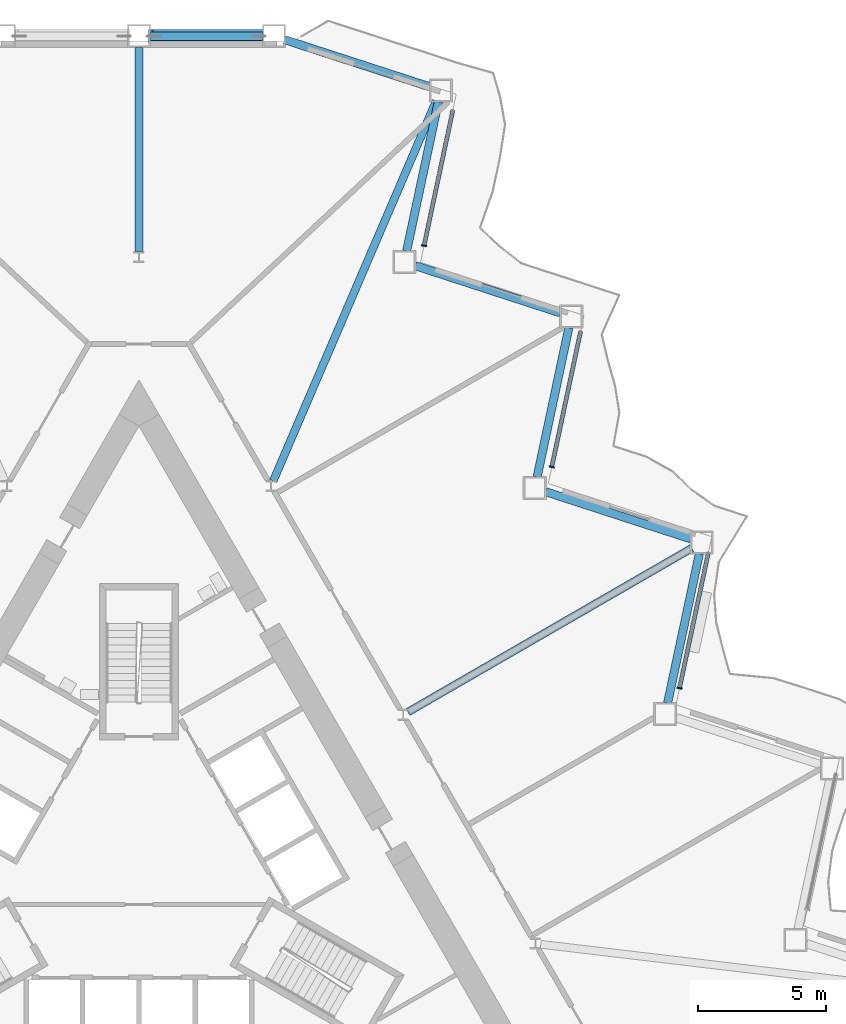
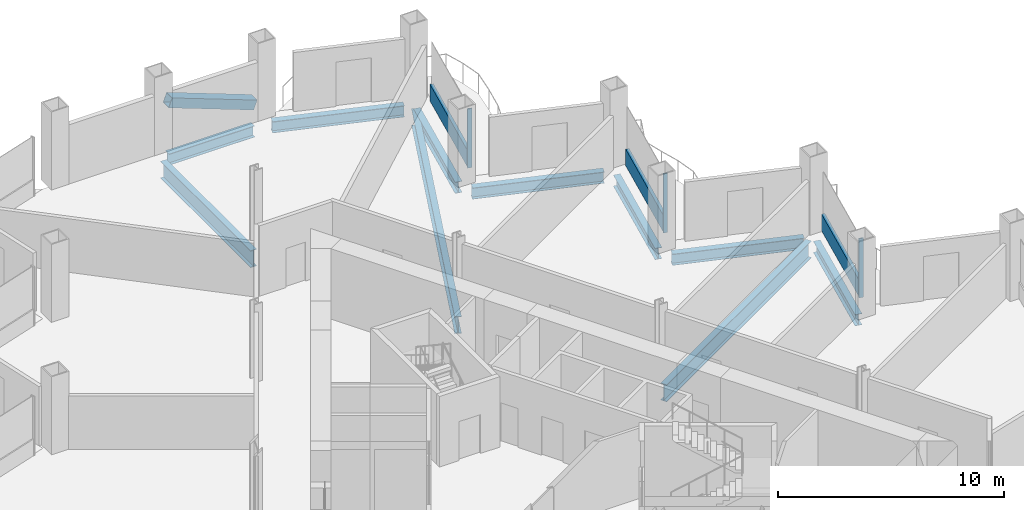
# One storey, part 8 of 21: 10 beams, 7 members, 3 elements without a shape of their own.
"""IFC4 building model written with IfcOpenShell, lengths in metres."""

from ifc_helpers import new_model, si_unit, direction, frame, origin, origin_2d, place, context, subcontext, project, spatial, rectangle, hollow_rectangle, i_section, extrude, material, layer, layer_set, material_profile, profile_set, type_object, element, aggregate, save


model = new_model("IFC4")

# Units and contexts
model_context = context("Model", 3, precision=1e-05, world=origin(), true_north=direction((0.0, 1.0)))
body_context = subcontext(model_context, "Body", "Model", "MODEL_VIEW")
ifc_project = project(units=[si_unit("LENGTHUNIT", "METRE"), si_unit("AREAUNIT", "SQUARE_METRE"), si_unit("VOLUMEUNIT", "CUBIC_METRE"), si_unit("PLANEANGLEUNIT", "RADIAN"), si_unit("MASSUNIT", "GRAM", prefix="KILO")], contexts=[model_context])

# Site, building, storey
site_placement = place(None, origin())
site = spatial("IfcSite", under=ifc_project, at=site_placement, CompositionType="ELEMENT")
building_placement = place(site_placement, origin())
building = spatial("IfcBuilding", under=site, at=building_placement, Name="Cormorant Prow Tower", CompositionType="ELEMENT")
storey_placement = place(building_placement, frame((0.0, 0.0, 103.800048828125)))
storey = spatial("IfcBuildingStorey", under=building, at=storey_placement, Name="L21", CompositionType="ELEMENT", Elevation=103.800048828125)

# Member
ifc_material_1 = material(Name="Structural steel ASTM A500 Gr C", Category="steel")
ifc_material_profile_1 = material_profile(ifc_material_1, hollow_rectangle(XDim=0.508056640625, YDim=0.508056640625, WallThickness=0.014892578125, at=origin_2d()), Name="HSS20x20x5/8")
ifc_profile_set_1 = profile_set([ifc_material_profile_1], Name="Structural steel ASTM A500 Gr C")
member_type_1 = type_object("IfcMemberType", Name="Chamfer brace HSS20x20x5/8", PredefinedType="BRACE", material=ifc_profile_set_1)
member_1_placement = place(storey_placement, frame((4.8017578125, 32.487060546875, 0.776611328125), z_axis=(-0.935582009332, 0.0, 0.353109478511), x_axis=(0.0, -1.0, 0.0)))
element("IfcMember", 1, at=member_1_placement, inside=storey, type_object=member_type_1, Name="Chamfer brace BR1 at N00 L21", PredefinedType="BRACE", context=body_context, shape_type="SweptSolid", body=[
    extrude(hollow_rectangle(XDim=0.508056640625, YDim=0.508056640625, WallThickness=0.014892578125, at=origin_2d()), origin(), (0.0, 0.0, 1.0), 4.63232421875),
])

# Curtain wall, member
ifc_material_2 = material(Name="Aluminium 6063-T6", Category="aluminium")
ifc_layer = layer(ifc_material_2, 0.199951171875)
ifc_layer_set = layer_set([ifc_layer], Name="Aluminium 6063-T6")
curtain_wall_type = type_object("IfcCurtainWallType", Name="Office unitised curtain wall 200", PredefinedType="NOTDEFINED", material=ifc_layer_set)
curtain_wall_1_placement = place(storey_placement, origin())
curtain_wall_1 = element("IfcCurtainWall", 2, at=curtain_wall_1_placement, inside=storey, type_object=curtain_wall_type, Name="Office curtain wall ENE04", PredefinedType="NOTDEFINED")
ifc_material_3 = material(Name="Aluminium 6063-T6", Category="aluminium")
ifc_material_profile_2 = material_profile(ifc_material_3, rectangle(XDim=0.199951171875, YDim=0.06005859375, at=origin_2d()), Name="Office mullion 60x200")
ifc_profile_set_2 = profile_set([ifc_material_profile_2], Name="Aluminium 6063-T6")
member_type_2 = type_object("IfcMemberType", Name="Office mullion 60x200", PredefinedType="MULLION", material=ifc_profile_set_2)
member_2_placement = place(storey_placement, frame((21.128662109375, 7.005126953125, 0.0), z_axis=(0.0, 0.0, 1.0), x_axis=(-0.978147583933, 0.207911769861, 0.0)))
member_2 = element("IfcMember", 3, at=member_2_placement, type_object=member_type_2, Name="Office mullion ENE04", PredefinedType="MULLION", context=body_context, shape_type="SweptSolid", body=[
    extrude(rectangle(XDim=0.199951171875, YDim=0.06005859375, at=origin_2d()), origin(), (0.0, 0.0, 1.0), 3.18896484375),
])

curtain_wall_2_placement = place(storey_placement, origin())
curtain_wall_2 = element("IfcCurtainWall", 4, at=curtain_wall_2_placement, inside=storey, type_object=curtain_wall_type, Name="Office curtain wall ENE06", PredefinedType="NOTDEFINED")
member_3_placement = place(storey_placement, frame((16.135986328125, 15.652587890625, 0.0), z_axis=(0.0, 0.0, 1.0), x_axis=(-0.978147583933, 0.207911769861, 0.0)))
member_3 = element("IfcMember", 5, at=member_3_placement, type_object=member_type_2, Name="Office mullion ENE06", PredefinedType="MULLION", context=body_context, shape_type="SweptSolid", body=[
    extrude(rectangle(XDim=0.199951171875, YDim=0.06005859375, at=origin_2d()), origin(), (0.0, 0.0, 1.0), 3.18896484375),
])

curtain_wall_3_placement = place(storey_placement, origin())
curtain_wall_3 = element("IfcCurtainWall", 6, at=curtain_wall_3_placement, inside=storey, type_object=curtain_wall_type, Name="Office curtain wall ENE08", PredefinedType="NOTDEFINED")
member_4_placement = place(storey_placement, frame((11.143310546875, 24.30029296875, 0.0), z_axis=(0.0, 0.0, 1.0), x_axis=(-0.978147583933, 0.207911769861, 0.0)))
member_4 = element("IfcMember", 7, at=member_4_placement, type_object=member_type_2, Name="Office mullion ENE08", PredefinedType="MULLION", context=body_context, shape_type="SweptSolid", body=[
    extrude(rectangle(XDim=0.199951171875, YDim=0.06005859375, at=origin_2d()), origin(), (0.0, 0.0, 1.0), 3.18896484375),
])

# Member
ifc_material_4 = material(Name="Terracotta", Category="masonry")
ifc_material_profile_3 = material_profile(ifc_material_4, rectangle(XDim=0.159912109375, YDim=0.89990234375, at=origin_2d()), Name="Office terracotta spandrel rail 160x900")
ifc_profile_set_3 = profile_set([ifc_material_profile_3], Name="Terracotta")
member_type_3 = type_object("IfcMemberType", Name="Office terracotta spandrel rail 160x900", PredefinedType="USERDEFINED", material=ifc_profile_set_3)
member_5_placement = place(storey_placement, frame((21.135009765625, 7.034423828125, 0.449951171875), z_axis=(0.207912965778, 0.978147329732, 0.0), x_axis=(-0.978147329732, 0.207912965778, 0.0)))
member_5 = element("IfcMember", 8, at=member_5_placement, type_object=member_type_3, Name="Office spandrel rail ENE04", ObjectType="TRANSOM", PredefinedType="USERDEFINED", context=body_context, shape_type="SweptSolid", body=[
    extrude(rectangle(XDim=0.159912109375, YDim=0.89990234375, at=origin_2d()), origin(), (0.0, 0.0, 1.0), 5.38623046875),
])

aggregate(curtain_wall_1, [member_2, member_5])

member_6_placement = place(storey_placement, frame((16.142333984375, 15.68212890625, 0.449951171875), z_axis=(0.207912965778, 0.978147329732, 0.0), x_axis=(-0.978147329732, 0.207912965778, 0.0)))
member_6 = element("IfcMember", 9, at=member_6_placement, type_object=member_type_3, Name="Office spandrel rail ENE06", ObjectType="TRANSOM", PredefinedType="USERDEFINED", context=body_context, shape_type="SweptSolid", body=[
    extrude(rectangle(XDim=0.159912109375, YDim=0.89990234375, at=origin_2d()), origin(), (0.0, 0.0, 1.0), 5.38623046875),
])

aggregate(curtain_wall_2, [member_3, member_6])

member_7_placement = place(storey_placement, frame((11.149658203125, 24.32958984375, 0.449951171875), z_axis=(0.207912965778, 0.978147329732, 0.0), x_axis=(-0.978147329732, 0.207912965778, 0.0)))
member_7 = element("IfcMember", 10, at=member_7_placement, type_object=member_type_3, Name="Office spandrel rail ENE08", ObjectType="TRANSOM", PredefinedType="USERDEFINED", context=body_context, shape_type="SweptSolid", body=[
    extrude(rectangle(XDim=0.159912109375, YDim=0.89990234375, at=origin_2d()), origin(), (0.0, 0.0, 1.0), 5.38623046875),
])

aggregate(curtain_wall_3, [member_4, member_7])

# Beams
ifc_material_5 = material(Name="Structural steel ASTM A992 Gr 50", Category="steel")
ifc_material_profile_4 = material_profile(ifc_material_5, i_section(OverallWidth=0.3046875, OverallDepth=0.914794921875, WebThickness=0.0166015625, FlangeThickness=0.02587890625, at=origin_2d()), Name="W36x160")
ifc_profile_set_4 = profile_set([ifc_material_profile_4], Name="Structural steel ASTM A992 Gr 50")
beam_type_1 = type_object("IfcBeamType", Name="Radial floor beam W36x160", PredefinedType="BEAM", material=ifc_profile_set_4)
beam_1_placement = place(storey_placement, frame((0.0, 24.070068359375, -0.857421875), z_axis=(0.0, 1.0, 0.0), x_axis=(-1.0, 0.0, 0.0)))
element("IfcBeam", 11, at=beam_1_placement, inside=storey, type_object=beam_type_1, Name="Radial floor beam FB1 1 L21", PredefinedType="BEAM", context=body_context, shape_type="SweptSolid", body=[
    extrude(i_section(OverallWidth=0.3046875, OverallDepth=0.914794921875, WebThickness=0.0166015625, FlangeThickness=0.02587890625, at=origin_2d()), origin(), (0.0, 0.0, 1.0), 7.966796875),
])
beam_2_placement = place(storey_placement, frame((10.516845703125, 6.07177734375, -0.857421875), z_axis=(0.866021760006, 0.500006311156, 0.0), x_axis=(-0.500006311156, 0.866021760006, 0.0)))
element("IfcBeam", 12, at=beam_2_placement, inside=storey, type_object=beam_type_1, Name="Radial floor beam FB1 11 L21", PredefinedType="BEAM", context=body_context, shape_type="SweptSolid", body=[
    extrude(i_section(OverallWidth=0.3046875, OverallDepth=0.914794921875, WebThickness=0.0166015625, FlangeThickness=0.02587890625, at=origin_2d()), origin(), (0.0, 0.0, 1.0), 12.805419921875),
])
beam_3_placement = place(storey_placement, frame((5.25, 15.107666015625, -0.857421875), z_axis=(0.394273140268, 0.918993302948, 0.0), x_axis=(-0.918993302948, 0.394273140268, 0.0)))
element("IfcBeam", 13, at=beam_3_placement, inside=storey, type_object=beam_type_1, Name="Radial floor beam FB1 12 L21", PredefinedType="BEAM", context=body_context, shape_type="SweptSolid", body=[
    extrude(i_section(OverallWidth=0.3046875, OverallDepth=0.914794921875, WebThickness=0.0166015625, FlangeThickness=0.02587890625, at=origin_2d()), origin(), (0.0, 0.0, 1.0), 16.153564453125),
])
ifc_material_6 = material(Name="Structural steel ASTM A992 Gr 50", Category="steel")
ifc_material_profile_5 = material_profile(ifc_material_6, i_section(OverallWidth=0.32373046875, OverallDepth=0.611083984375, WebThickness=0.0126953125, FlangeThickness=0.01904296875, at=origin_2d()), Name="W24x104")
ifc_profile_set_5 = profile_set([ifc_material_profile_5], Name="Structural steel ASTM A992 Gr 50")
beam_type_2 = type_object("IfcBeamType", Name="Spandrel beam W24x104", PredefinedType="SPANDREL", material=ifc_profile_set_5)
beam_4_placement = place(storey_placement, frame((20.6630859375, 6.427001953125, -0.70556640625), z_axis=(0.207912620873, 0.978147403044, 0.0), x_axis=(-0.978147403044, 0.207912620873, 0.0)))
element("IfcBeam", 14, at=beam_4_placement, inside=storey, type_object=beam_type_2, Name="Spandrel beam SB1 ENE04-ENE05 L21", PredefinedType="SPANDREL", context=body_context, shape_type="SweptSolid", body=[
    extrude(i_section(OverallWidth=0.32373046875, OverallDepth=0.611083984375, WebThickness=0.0126953125, FlangeThickness=0.01904296875, at=origin_2d()), origin(), (0.0, 0.0, 1.0), 5.962890625),
])
for number, where, z_axis, x_axis, name in (
    (15, (21.568359375, 12.838623046875, -0.70556640625), (-0.951059340519, 0.309008302174, 0.0), (-0.309008302174, -0.951059340519, 0.0), "Spandrel beam SB1 ENE05-ENE06 L21"),
    (16, (15.56298828125, 15.260498046875, -0.70556640625), (0.207920947907, 0.978145633033, 0.0), (-0.978145633033, 0.207920947907, 0.0), "Spandrel beam SB1 ENE06-ENE07 L21"),
):
    element("IfcBeam", number, at=place(storey_placement, frame(where, z_axis=z_axis, x_axis=x_axis)), inside=storey, type_object=beam_type_2, Name=name, PredefinedType="SPANDREL", context=body_context, shape_type="SweptSolid", body=[
        extrude(i_section(OverallWidth=0.32373046875, OverallDepth=0.611083984375, WebThickness=0.0126953125, FlangeThickness=0.01904296875, at=origin_2d()), origin(), (0.0, 0.0, 1.0), 5.962646484375),
    ])
beam_5_placement = place(storey_placement, frame((16.468505859375, 21.671875, -0.70556640625), z_axis=(-0.95104730696, 0.309045336358, 0.0), x_axis=(-0.309045336358, -0.95104730696, 0.0)))
element("IfcBeam", 17, at=beam_5_placement, inside=storey, type_object=beam_type_2, Name="Spandrel beam SB1 ENE07-ENE08 L21", PredefinedType="SPANDREL", context=body_context, shape_type="SweptSolid", body=[
    extrude(i_section(OverallWidth=0.32373046875, OverallDepth=0.611083984375, WebThickness=0.0126953125, FlangeThickness=0.01904296875, at=origin_2d()), origin(), (0.0, 0.0, 1.0), 5.962890625),
])
beam_6_placement = place(storey_placement, frame((10.463134765625, 24.09375, -0.70556640625), z_axis=(0.207920947907, 0.978145633033, 0.0), x_axis=(-0.978145633033, 0.207920947907, 0.0)))
element("IfcBeam", 18, at=beam_6_placement, inside=storey, type_object=beam_type_2, Name="Spandrel beam SB1 ENE08-ENE09 L21", PredefinedType="SPANDREL", context=body_context, shape_type="SweptSolid", body=[
    extrude(i_section(OverallWidth=0.32373046875, OverallDepth=0.611083984375, WebThickness=0.0126953125, FlangeThickness=0.01904296875, at=origin_2d()), origin(), (0.0, 0.0, 1.0), 5.962646484375),
])
beam_7_placement = place(storey_placement, frame((11.368408203125, 30.50537109375, -0.70556640625), z_axis=(-0.951055430656, 0.309020335608, 0.0), x_axis=(-0.309020335608, -0.951055430656, 0.0)))
element("IfcBeam", 19, at=beam_7_placement, inside=storey, type_object=beam_type_2, Name="Spandrel beam SB1 ENE09-N00 L21", PredefinedType="SPANDREL", context=body_context, shape_type="SweptSolid", body=[
    extrude(i_section(OverallWidth=0.32373046875, OverallDepth=0.611083984375, WebThickness=0.0126953125, FlangeThickness=0.01904296875, at=origin_2d()), origin(), (0.0, 0.0, 1.0), 5.96240234375),
])
beam_8_placement = place(storey_placement, frame((4.819580078125, 32.487060546875, -0.70556640625), z_axis=(-1.0, 0.0, 0.0), x_axis=(0.0, -1.0, 0.0)))
element("IfcBeam", 20, at=beam_8_placement, inside=storey, type_object=beam_type_2, Name="Spandrel beam SB1 N00-N01 L21", PredefinedType="SPANDREL", context=body_context, shape_type="SweptSolid", body=[
    extrude(i_section(OverallWidth=0.32373046875, OverallDepth=0.611083984375, WebThickness=0.0126953125, FlangeThickness=0.01904296875, at=origin_2d()), origin(), (0.0, 0.0, 1.0), 4.36962890625),
])

save(model, "model.ifc")
